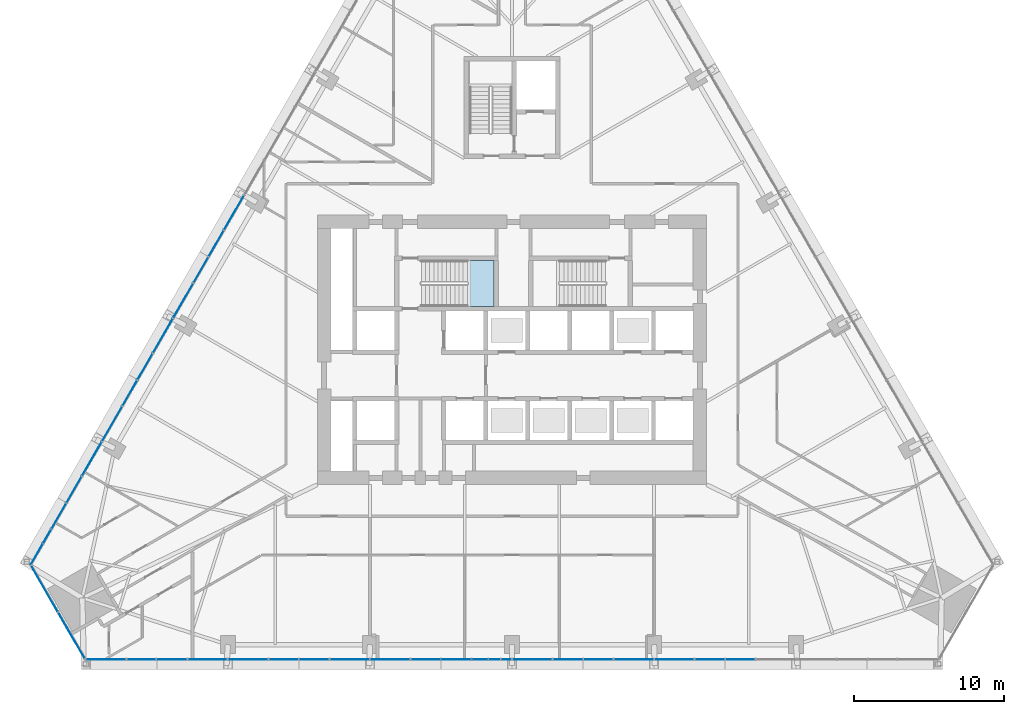
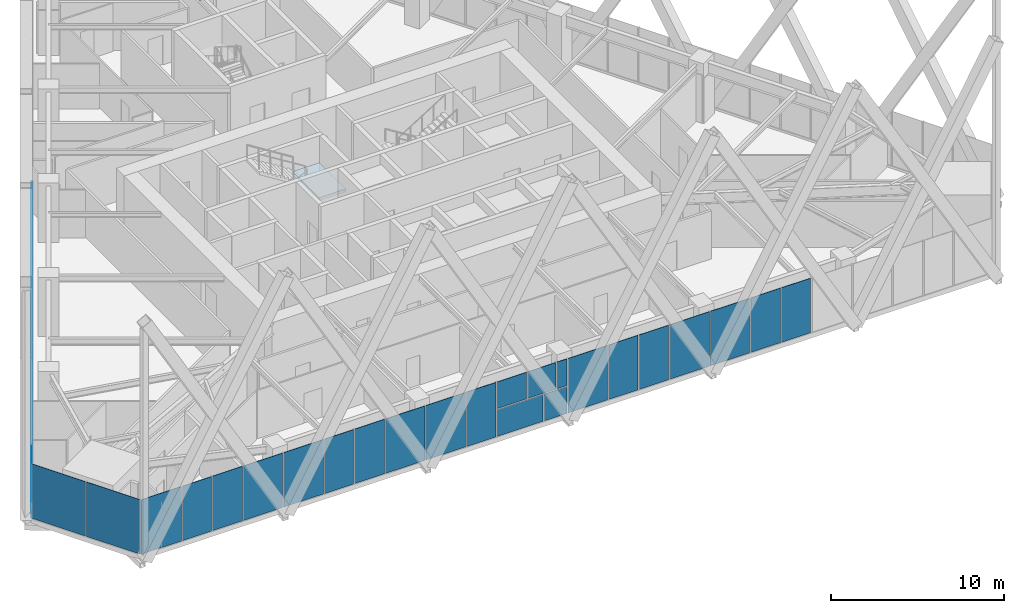
# One storey, part 13 of 21: 38 plates, 1 slab, 4 elements without a shape of their own.
"""IFC4 building model written with IfcOpenShell, lengths in metres."""

from ifc_helpers import new_model, si_unit, direction, frame, origin, place, context, subcontext, project, spatial, polyline, outline, extrude, material, layer, layer_set, type_object, element, aggregate, save


model = new_model("IFC4")

# Units and contexts
model_context = context("Model", 3, precision=1e-05, world=origin(), true_north=direction((0.0, 1.0)))
body_context = subcontext(model_context, "Body", "Model", "MODEL_VIEW")
ifc_project = project(units=[si_unit("LENGTHUNIT", "METRE"), si_unit("AREAUNIT", "SQUARE_METRE"), si_unit("VOLUMEUNIT", "CUBIC_METRE"), si_unit("PLANEANGLEUNIT", "RADIAN"), si_unit("MASSUNIT", "GRAM", prefix="KILO")], contexts=[model_context])

# Site, building, storey
site_placement = place(None, origin())
site = spatial("IfcSite", under=ifc_project, at=site_placement, CompositionType="ELEMENT")
building_placement = place(site_placement, origin())
building = spatial("IfcBuilding", under=site, at=building_placement, Name="Firuza Gate Tower and Library", CompositionType="ELEMENT")
storey_placement = place(building_placement, frame((0.0, 0.0, 73.60009765625)))
storey = spatial("IfcBuildingStorey", under=building, at=storey_placement, Name="L16", CompositionType="ELEMENT", Elevation=73.60009765625)

# Curtain wall, plates
ifc_material_1 = material(Name="Aluminium 6063-T6", Category="aluminium")
ifc_layer_1 = layer(ifc_material_1, 0.14990234375)
ifc_layer_set_1 = layer_set([ifc_layer_1], Name="Corner curtain wall, chamfers")
curtain_wall_type_1 = type_object("IfcCurtainWallType", Name="Corner curtain wall, chamfers", PredefinedType="NOTDEFINED", material=ifc_layer_set_1)
placement = place(storey_placement, origin())
curtain_wall_1 = element("IfcCurtainWall", 1, at=placement, inside=storey, type_object=curtain_wall_type_1, Name="CW4 L16 SW corner", PredefinedType="NOTDEFINED")
ifc_material_2 = material(Name="Fritted glass", Category="glass")
ifc_layer_2 = layer(ifc_material_2, 0.030029296875)
ifc_layer_set_2 = layer_set([ifc_layer_2], Name="Fritted glass unit, corners")
plate_type_1 = type_object("IfcPlateType", Name="Fritted glass unit, corners", PredefinedType="CURTAIN_PANEL", material=ifc_layer_set_2)
plate_1_placement = place(storey_placement, frame((42.864501953125, 60.607177734375, 0.14990234375), z_axis=(-0.865999591991, -0.500044704672, 0.0), x_axis=(0.500044704672, -0.865999591991, 0.0)))
plate_1 = element("IfcPlate", 2, at=plate_1_placement, type_object=plate_type_1, Name="Glass unit", PredefinedType="CURTAIN_PANEL", context=body_context, shape_type="SweptSolid", body=[
    extrude(outline(polyline([(0.0, 0.0), (3.563157982880169, 0.0), (3.563157982880169, 3.85009765625), (0.0, 3.85009765625), (0.0, 0.0)])), origin(), (0.0, 0.0, -1.0), 0.030029296875),
])
plate_2_placement = place(storey_placement, frame((44.686279296875, 57.4521484375, 0.14990234375), z_axis=(-0.866046390552, -0.49996364809, 0.0), x_axis=(0.49996364809, -0.866046390552, 0.0)))
plate_2 = element("IfcPlate", 3, at=plate_2_placement, type_object=plate_type_1, Name="Glass unit", PredefinedType="CURTAIN_PANEL", context=body_context, shape_type="SweptSolid", body=[
    extrude(outline(polyline([(0.0, 0.0), (3.563247342942594, 0.0), (3.563247342942594, 3.85009765625), (0.0, 3.85009765625), (0.0, 0.0)])), origin(), (0.0, 0.0, -1.0), 0.030029296875),
])
aggregate(curtain_wall_1, [plate_1, plate_2])

ifc_material_3 = material(Name="Aluminium 6063-T6", Category="aluminium")
ifc_layer_3 = layer(ifc_material_3, 0.14990234375)
ifc_layer_set_3 = layer_set([ifc_layer_3], Name="Unitised curtain wall, offices")
curtain_wall_type_2 = type_object("IfcCurtainWallType", Name="Unitised curtain wall, offices", PredefinedType="NOTDEFINED", material=ifc_layer_set_3)
curtain_wall_2 = element("IfcCurtainWall", 4, at=placement, inside=storey, type_object=curtain_wall_type_2, Name="CW1 L16 S face", PredefinedType="NOTDEFINED")
ifc_material_4 = material(Name="Fritted glass", Category="glass")
ifc_layer_4 = layer(ifc_material_4, 0.030029296875)
ifc_layer_set_4 = layer_set([ifc_layer_4], Name="Fritted glass unit, offices")
plate_type_2 = type_object("IfcPlateType", Name="Fritted glass unit, offices", PredefinedType="CURTAIN_PANEL", material=ifc_layer_set_4)
plate_3_placement = place(storey_placement, frame((49.28955078125, 54.323974609375, 0.14990234375), z_axis=(0.0, -1.0, 0.0), x_axis=(1.0, 0.0, 0.0)))
plate_3 = element("IfcPlate", 5, at=plate_3_placement, type_object=plate_type_2, Name="Glass unit", PredefinedType="CURTAIN_PANEL", context=body_context, shape_type="SweptSolid", body=[
    extrude(outline(polyline([(0.0, 0.0), (1.921142578125, 0.0), (1.921142578125, 3.85009765625), (0.0, 3.85009765625), (0.0, 0.0)])), origin(), (0.0, 0.0, -1.0), 0.030029296875),
])
plate_4_placement = place(storey_placement, frame((51.290771484375, 54.323974609375, 0.14990234375), z_axis=(0.0, -1.0, 0.0), x_axis=(1.0, 0.0, 0.0)))
plate_4 = element("IfcPlate", 6, at=plate_4_placement, type_object=plate_type_2, Name="Glass unit", PredefinedType="CURTAIN_PANEL", context=body_context, shape_type="SweptSolid", body=[
    extrude(outline(polyline([(0.0, 0.0), (1.993408203125, 0.0), (1.993408203125, 3.85009765625), (0.0, 3.85009765625), (0.0, 0.0)])), origin(), (0.0, 0.0, -1.0), 0.030029296875),
])
plate_5_placement = place(storey_placement, frame((58.774658203125, 54.323974609375, 0.14990234375), z_axis=(0.0, -1.0, 0.0), x_axis=(1.0, 0.0, 0.0)))
plate_5 = element("IfcPlate", 7, at=plate_5_placement, type_object=plate_type_2, Name="Glass unit", PredefinedType="CURTAIN_PANEL", context=body_context, shape_type="SweptSolid", body=[
    extrude(outline(polyline([(0.0, 0.0), (1.935791015625, 0.0), (1.935791015625, 3.85009765625), (0.0, 3.85009765625), (0.0, 0.0)])), origin(), (0.0, 0.0, -1.0), 0.030029296875),
])
plate_6_placement = place(storey_placement, frame((60.790283203125, 54.323974609375, 0.14990234375), z_axis=(0.0, -1.0, 0.0), x_axis=(1.0, 0.0, 0.0)))
plate_6 = element("IfcPlate", 8, at=plate_6_placement, type_object=plate_type_2, Name="Glass unit", PredefinedType="CURTAIN_PANEL", context=body_context, shape_type="SweptSolid", body=[
    extrude(outline(polyline([(0.0, 0.0), (1.97900390625, 0.0), (1.97900390625, 3.85009765625), (0.0, 3.85009765625), (0.0, 0.0)])), origin(), (0.0, 0.0, -1.0), 0.030029296875),
])
plate_7_placement = place(storey_placement, frame((68.260009765625, 54.323974609375, 0.14990234375), z_axis=(0.0, -1.0, 0.0), x_axis=(1.0, 0.0, 0.0)))
plate_7 = element("IfcPlate", 9, at=plate_7_placement, type_object=plate_type_2, Name="Glass unit", PredefinedType="CURTAIN_PANEL", context=body_context, shape_type="SweptSolid", body=[
    extrude(outline(polyline([(0.0, 0.0), (1.9501953125, 0.0), (1.9501953125, 3.85009765625), (0.0, 3.85009765625), (0.0, 0.0)])), origin(), (0.0, 0.0, -1.0), 0.030029296875),
])
plate_8_placement = place(storey_placement, frame((70.2900390625, 54.323974609375, 0.14990234375), z_axis=(0.0, -1.0, 0.0), x_axis=(1.0, 0.0, 0.0)))
plate_8 = element("IfcPlate", 10, at=plate_8_placement, type_object=plate_type_2, Name="Glass unit", PredefinedType="CURTAIN_PANEL", context=body_context, shape_type="SweptSolid", body=[
    extrude(outline(polyline([(0.0, 0.0), (3.073974609375, 0.0), (3.073974609375, 1.885009765625), (0.0, 1.885009765625), (0.0, 0.0)])), origin(), (0.0, 0.0, -1.0), 0.030029296875),
])
plate_9_placement = place(storey_placement, frame((70.2900390625, 54.323974609375, 2.114990234375), z_axis=(0.0, -1.0, 0.0), x_axis=(1.0, 0.0, 0.0)))
plate_9 = element("IfcPlate", 11, at=plate_9_placement, type_object=plate_type_2, Name="Glass unit", PredefinedType="CURTAIN_PANEL", context=body_context, shape_type="SweptSolid", body=[
    extrude(outline(polyline([(0.0, 0.0), (1.964599609375, 0.0), (1.964599609375, 1.885009765625), (0.0, 1.885009765625), (0.0, 0.0)])), origin(), (0.0, 0.0, -1.0), 0.030029296875),
])
plate_10_placement = place(storey_placement, frame((74.292724609375, 54.323974609375, 2.114990234375), z_axis=(0.0, -1.0, 0.0), x_axis=(1.0, 0.0, 0.0)))
plate_10 = element("IfcPlate", 12, at=plate_10_placement, type_object=plate_type_2, Name="Glass unit", PredefinedType="CURTAIN_PANEL", context=body_context, shape_type="SweptSolid", body=[
    extrude(outline(polyline([(0.0, 0.0), (0.667236328125, 0.0), (0.667236328125, 1.885009765625), (0.0, 1.885009765625), (0.0, 0.0)])), origin(), (0.0, 0.0, -1.0), 0.030029296875),
])
plate_11_placement = place(storey_placement, frame((77.745361328125, 54.323974609375, 0.14990234375), z_axis=(0.0, -1.0, 0.0), x_axis=(1.0, 0.0, 0.0)))
plate_11 = element("IfcPlate", 13, at=plate_11_placement, type_object=plate_type_2, Name="Glass unit", PredefinedType="CURTAIN_PANEL", context=body_context, shape_type="SweptSolid", body=[
    extrude(outline(polyline([(0.0, 0.0), (1.964599609375, 0.0), (1.964599609375, 3.85009765625), (0.0, 3.85009765625), (0.0, 0.0)])), origin(), (0.0, 0.0, -1.0), 0.030029296875),
])
plate_12_placement = place(storey_placement, frame((79.789794921875, 54.323974609375, 0.14990234375), z_axis=(0.0, -1.0, 0.0), x_axis=(1.0, 0.0, 0.0)))
plate_12 = element("IfcPlate", 14, at=plate_12_placement, type_object=plate_type_2, Name="Glass unit", PredefinedType="CURTAIN_PANEL", context=body_context, shape_type="SweptSolid", body=[
    extrude(outline(polyline([(0.0, 0.0), (1.9501953125, 0.0), (1.9501953125, 3.85009765625), (0.0, 3.85009765625), (0.0, 0.0)])), origin(), (0.0, 0.0, -1.0), 0.030029296875),
])
plate_13_placement = place(storey_placement, frame((87.230712890625, 54.323974609375, 0.14990234375), z_axis=(0.0, -1.0, 0.0), x_axis=(1.0, 0.0, 0.0)))
plate_13 = element("IfcPlate", 15, at=plate_13_placement, type_object=plate_type_2, Name="Glass unit", PredefinedType="CURTAIN_PANEL", context=body_context, shape_type="SweptSolid", body=[
    extrude(outline(polyline([(0.0, 0.0), (1.97900390625, 0.0), (1.97900390625, 3.85009765625), (0.0, 3.85009765625), (0.0, 0.0)])), origin(), (0.0, 0.0, -1.0), 0.030029296875),
])
plate_14_placement = place(storey_placement, frame((89.28955078125, 54.323974609375, 0.14990234375), z_axis=(0.0, -1.0, 0.0), x_axis=(1.0, 0.0, 0.0)))
plate_14 = element("IfcPlate", 16, at=plate_14_placement, type_object=plate_type_2, Name="Glass unit", PredefinedType="CURTAIN_PANEL", context=body_context, shape_type="SweptSolid", body=[
    extrude(outline(polyline([(0.0, 0.0), (1.935791015625, 0.0), (1.935791015625, 3.85009765625), (0.0, 3.85009765625), (0.0, 0.0)])), origin(), (0.0, 0.0, -1.0), 0.030029296875),
])

curtain_wall_3 = element("IfcCurtainWall", 17, at=placement, inside=storey, type_object=curtain_wall_type_2, Name="CW1 L16 W face", PredefinedType="NOTDEFINED")
plate_15_placement = place(storey_placement, frame((55.721435546875, 82.96044921875, 0.14990234375), z_axis=(-0.866055215259, 0.499948361456, 0.0), x_axis=(-0.499948361456, -0.866055215259, 0.0)))
plate_15 = element("IfcPlate", 18, at=plate_15_placement, type_object=plate_type_2, Name="Glass unit", PredefinedType="CURTAIN_PANEL", context=body_context, shape_type="SweptSolid", body=[
    extrude(outline(polyline([(0.0, 0.0), (1.9645583626167125, 0.0), (1.9645583626167125, 3.85009765625), (0.0, 3.85009765625), (0.0, 0.0)])), origin(), (0.0, 0.0, -1.0), 0.030029296875),
])
plate_16_placement = place(storey_placement, frame((54.69921875, 81.18994140625, 0.14990234375), z_axis=(-0.866031321059, 0.49998975084, 0.0), x_axis=(-0.49998975084, -0.866031321059, 0.0)))
plate_16 = element("IfcPlate", 19, at=plate_16_placement, type_object=plate_type_2, Name="Glass unit", PredefinedType="CURTAIN_PANEL", context=body_context, shape_type="SweptSolid", body=[
    extrude(outline(polyline([(0.0, 0.0), (1.9502352890478898, 0.0), (1.9502352890478898, 3.85009765625), (0.0, 3.85009765625), (0.0, 0.0)])), origin(), (0.0, 0.0, -1.0), 0.030029296875),
])
plate_17_placement = place(storey_placement, frame((50.978759765625, 74.745849609375, 0.14990234375), z_axis=(-0.866025344474, 0.500000102728, 0.0), x_axis=(-0.500000102728, -0.866025344474, 0.0)))
plate_17 = element("IfcPlate", 20, at=plate_17_placement, type_object=plate_type_2, Name="Glass unit", PredefinedType="CURTAIN_PANEL", context=body_context, shape_type="SweptSolid", body=[
    extrude(outline(polyline([(0.0, 0.0), (1.9790034996501018, 0.0), (1.9790034996501018, 3.85009765625), (0.0, 3.85009765625), (0.0, 0.0)])), origin(), (0.0, 0.0, -1.0), 0.030029296875),
])
plate_18_placement = place(storey_placement, frame((49.94921875, 72.962890625, 0.14990234375), z_axis=(-0.866061679702, 0.499937163003, 0.0), x_axis=(-0.499937163003, -0.866061679702, 0.0)))
plate_18 = element("IfcPlate", 21, at=plate_18_placement, type_object=plate_type_2, Name="Glass unit", PredefinedType="CURTAIN_PANEL", context=body_context, shape_type="SweptSolid", body=[
    extrude(outline(polyline([(0.0, 0.0), (1.9357901534810953, 0.0), (1.9357901534810953, 3.85009765625), (0.0, 3.85009765625), (0.0, 0.0)])), origin(), (0.0, 0.0, -1.0), 0.030029296875),
])
plate_19_placement = place(storey_placement, frame((46.236083984375, 66.531494140625, 0.14990234375), z_axis=(-0.86604893727, 0.499959236591, 0.0), x_axis=(-0.499959236591, -0.86604893727, 0.0)))
plate_19 = element("IfcPlate", 22, at=plate_19_placement, type_object=plate_type_2, Name="Glass unit", PredefinedType="CURTAIN_PANEL", context=body_context, shape_type="SweptSolid", body=[
    extrude(outline(polyline([(0.0, 0.0), (1.9933265720713123, 0.0), (1.9933265720713123, 3.85009765625), (0.0, 3.85009765625), (0.0, 0.0)])), origin(), (0.0, 0.0, -1.0), 0.030029296875),
])
plate_20_placement = place(storey_placement, frame((45.199462890625, 64.73583984375, 0.14990234375), z_axis=(-0.866028638735, 0.499994396859, 0.0), x_axis=(-0.499994396859, -0.866028638735, 0.0)))
plate_20 = element("IfcPlate", 23, at=plate_20_placement, type_object=plate_type_2, Name="Glass unit", PredefinedType="CURTAIN_PANEL", context=body_context, shape_type="SweptSolid", body=[
    extrude(outline(polyline([(0.0, 0.0), (3.0307956827017404, 0.0), (3.0307956827017404, 1.885009765625), (0.0, 1.885009765625), (0.0, 0.0)])), origin(), (0.0, 0.0, -1.0), 0.030029296875),
])
plate_21_placement = place(storey_placement, frame((45.199462890625, 64.73583984375, 2.114990234375), z_axis=(-0.866005709019, 0.500034110783, 0.0), x_axis=(-0.500034110783, -0.866005709019, 0.0)))
plate_21 = element("IfcPlate", 24, at=plate_21_placement, type_object=plate_type_2, Name="Glass unit", PredefinedType="CURTAIN_PANEL", context=body_context, shape_type="SweptSolid", body=[
    extrude(outline(polyline([(0.0, 0.0), (1.9212556476795428, 0.0), (1.9212556476795428, 1.885009765625), (0.0, 1.885009765625), (0.0, 0.0)])), origin(), (0.0, 0.0, -1.0), 0.030029296875),
])

# Plate
ifc_material_5 = material(Name="Glazed ceramic tile")
ifc_layer_5 = layer(ifc_material_5, 0.030029296875)
ifc_layer_set_5 = layer_set([ifc_layer_5], Name="Opaque ceramic panel, offices")
plate_type_3 = type_object("IfcPlateType", Name="Opaque ceramic panel, offices", PredefinedType="CURTAIN_PANEL", material=ifc_layer_set_5)
plate_22_placement = place(storey_placement, frame((46.540771484375, 54.323974609375, 0.14990234375), z_axis=(0.0, -1.0, 0.0), x_axis=(1.0, 0.0, 0.0)))
plate_22 = element("IfcPlate", 25, at=plate_22_placement, type_object=plate_type_3, Name="Opaque ceramic panel", PredefinedType="CURTAIN_PANEL", context=body_context, shape_type="SweptSolid", body=[
    extrude(outline(polyline([(0.0, 0.0), (2.668701171875, 0.0), (2.668701171875, 3.85009765625), (0.0, 3.85009765625), (0.0, 0.0)])), origin(), (0.0, 0.0, -1.0), 0.030029296875),
])

plate_23_placement = place(storey_placement, frame((53.364013671875, 54.323974609375, 0.14990234375), z_axis=(0.0, -1.0, 0.0), x_axis=(1.0, 0.0, 0.0)))
plate_23 = element("IfcPlate", 26, at=plate_23_placement, type_object=plate_type_3, Name="Opaque ceramic panel", PredefinedType="CURTAIN_PANEL", context=body_context, shape_type="SweptSolid", body=[
    extrude(outline(polyline([(0.0, 0.0), (2.596435546875, 0.0), (2.596435546875, 3.85009765625), (0.0, 3.85009765625), (0.0, 0.0)])), origin(), (0.0, 0.0, -1.0), 0.030029296875),
])

plate_24_placement = place(storey_placement, frame((56.04052734375, 54.323974609375, 0.14990234375), z_axis=(0.0, -1.0, 0.0), x_axis=(1.0, 0.0, 0.0)))
plate_24 = element("IfcPlate", 27, at=plate_24_placement, type_object=plate_type_3, Name="Opaque ceramic panel", PredefinedType="CURTAIN_PANEL", context=body_context, shape_type="SweptSolid", body=[
    extrude(outline(polyline([(0.0, 0.0), (2.654296875, 0.0), (2.654296875, 3.85009765625), (0.0, 3.85009765625), (0.0, 0.0)])), origin(), (0.0, 0.0, -1.0), 0.030029296875),
])

plate_25_placement = place(storey_placement, frame((62.849365234375, 54.323974609375, 0.14990234375), z_axis=(0.0, -1.0, 0.0), x_axis=(1.0, 0.0, 0.0)))
plate_25 = element("IfcPlate", 28, at=plate_25_placement, type_object=plate_type_3, Name="Opaque ceramic panel", PredefinedType="CURTAIN_PANEL", context=body_context, shape_type="SweptSolid", body=[
    extrude(outline(polyline([(0.0, 0.0), (2.61083984375, 0.0), (2.61083984375, 3.85009765625), (0.0, 3.85009765625), (0.0, 0.0)])), origin(), (0.0, 0.0, -1.0), 0.030029296875),
])

plate_26_placement = place(storey_placement, frame((65.540283203125, 54.323974609375, 0.14990234375), z_axis=(0.0, -1.0, 0.0), x_axis=(1.0, 0.0, 0.0)))
plate_26 = element("IfcPlate", 29, at=plate_26_placement, type_object=plate_type_3, Name="Opaque ceramic panel", PredefinedType="CURTAIN_PANEL", context=body_context, shape_type="SweptSolid", body=[
    extrude(outline(polyline([(0.0, 0.0), (2.6396484375, 0.0), (2.6396484375, 3.85009765625), (0.0, 3.85009765625), (0.0, 0.0)])), origin(), (0.0, 0.0, -1.0), 0.030029296875),
])

plate_27_placement = place(storey_placement, frame((73.444091796875, 54.323974609375, 0.14990234375), z_axis=(0.0, -1.0, 0.0), x_axis=(1.0, 0.0, 0.0)))
plate_27 = element("IfcPlate", 30, at=plate_27_placement, type_object=plate_type_3, Name="Opaque ceramic panel", PredefinedType="CURTAIN_PANEL", context=body_context, shape_type="SweptSolid", body=[
    extrude(outline(polyline([(0.0, 0.0), (1.515869140625, 0.0), (1.515869140625, 1.885009765625), (0.0, 1.885009765625), (0.0, 0.0)])), origin(), (0.0, 0.0, -1.0), 0.030029296875),
])

plate_28_placement = place(storey_placement, frame((72.334716796875, 54.323974609375, 2.114990234375), z_axis=(0.0, -1.0, 0.0), x_axis=(1.0, 0.0, 0.0)))
plate_28 = element("IfcPlate", 31, at=plate_28_placement, type_object=plate_type_3, Name="Opaque ceramic panel", PredefinedType="CURTAIN_PANEL", context=body_context, shape_type="SweptSolid", body=[
    extrude(outline(polyline([(0.0, 0.0), (1.878173828125, 0.0), (1.878173828125, 1.885009765625), (0.0, 1.885009765625), (0.0, 0.0)])), origin(), (0.0, 0.0, -1.0), 0.030029296875),
])

plate_29_placement = place(storey_placement, frame((75.0400390625, 54.323974609375, 0.14990234375), z_axis=(0.0, -1.0, 0.0), x_axis=(1.0, 0.0, 0.0)))
plate_29 = element("IfcPlate", 32, at=plate_29_placement, type_object=plate_type_3, Name="Opaque ceramic panel", PredefinedType="CURTAIN_PANEL", context=body_context, shape_type="SweptSolid", body=[
    extrude(outline(polyline([(0.0, 0.0), (2.625244140625, 0.0), (2.625244140625, 3.85009765625), (0.0, 3.85009765625), (0.0, 0.0)])), origin(), (0.0, 0.0, -1.0), 0.030029296875),
])

plate_30_placement = place(storey_placement, frame((81.820068359375, 54.323974609375, 0.14990234375), z_axis=(0.0, -1.0, 0.0), x_axis=(1.0, 0.0, 0.0)))
plate_30 = element("IfcPlate", 33, at=plate_30_placement, type_object=plate_type_3, Name="Opaque ceramic panel", PredefinedType="CURTAIN_PANEL", context=body_context, shape_type="SweptSolid", body=[
    extrude(outline(polyline([(0.0, 0.0), (2.6396484375, 0.0), (2.6396484375, 3.85009765625), (0.0, 3.85009765625), (0.0, 0.0)])), origin(), (0.0, 0.0, -1.0), 0.030029296875),
])

plate_31_placement = place(storey_placement, frame((84.539794921875, 54.323974609375, 0.14990234375), z_axis=(0.0, -1.0, 0.0), x_axis=(1.0, 0.0, 0.0)))
plate_31 = element("IfcPlate", 34, at=plate_31_placement, type_object=plate_type_3, Name="Opaque ceramic panel", PredefinedType="CURTAIN_PANEL", context=body_context, shape_type="SweptSolid", body=[
    extrude(outline(polyline([(0.0, 0.0), (2.61083984375, 0.0), (2.61083984375, 3.85009765625), (0.0, 3.85009765625), (0.0, 0.0)])), origin(), (0.0, 0.0, -1.0), 0.030029296875),
])

aggregate(curtain_wall_2, [plate_22, plate_3, plate_4, plate_23, plate_24, plate_5, plate_6, plate_25, plate_26, plate_7, plate_8, plate_27, plate_9, plate_28, plate_10, plate_29, plate_11, plate_12, plate_30, plate_31, plate_13, plate_14])

plate_32_placement = place(storey_placement, frame((57.07421875, 85.30322265625, 0.14990234375), z_axis=(-0.865996638274, 0.500049820017, 0.0), x_axis=(-0.500049820017, -0.865996638274, 0.0)))
plate_32 = element("IfcPlate", 35, at=plate_32_placement, type_object=plate_type_3, Name="Opaque ceramic panel", PredefinedType="CURTAIN_PANEL", context=body_context, shape_type="SweptSolid", body=[
    extrude(outline(polyline([(0.0, 0.0), (2.625226703572764, 0.0), (2.625226703572764, 3.85009765625), (0.0, 3.85009765625), (0.0, 0.0)])), origin(), (0.0, 0.0, -1.0), 0.030029296875),
])

plate_33_placement = place(storey_placement, frame((53.68408203125, 79.431640625, 0.14990234375), z_axis=(-0.866037734993, 0.499978641112, 0.0), x_axis=(-0.499978641112, -0.866037734993, 0.0)))
plate_33 = element("IfcPlate", 36, at=plate_33_placement, type_object=plate_type_3, Name="Opaque ceramic panel", PredefinedType="CURTAIN_PANEL", context=body_context, shape_type="SweptSolid", body=[
    extrude(outline(polyline([(0.0, 0.0), (2.639761202227999, 0.0), (2.639761202227999, 3.8500976562499996), (0.0, 3.8500976562499996), (0.0, 0.0)])), origin(), (0.0, 0.0, -1.0), 0.030029296875),
])

plate_34_placement = place(storey_placement, frame((52.32421875, 77.076416015625, 0.14990234375), z_axis=(-0.866042335433, 0.499970672378, 0.0), x_axis=(-0.499970672378, -0.866042335433, 0.0)))
plate_34 = element("IfcPlate", 37, at=plate_34_placement, type_object=plate_type_3, Name="Opaque ceramic panel", PredefinedType="CURTAIN_PANEL", context=body_context, shape_type="SweptSolid", body=[
    extrude(outline(polyline([(0.0, 0.0), (2.610992992183525, 0.0), (2.610992992183525, 3.8500976562499996), (0.0, 3.8500976562499996), (0.0, 0.0)])), origin(), (0.0, 0.0, -1.0), 0.030029296875),
])

plate_35_placement = place(storey_placement, frame((48.94140625, 71.21728515625, 0.14990234375), z_axis=(-0.866015557117, 0.50001705454, 0.0), x_axis=(-0.50001705454, -0.866015557117, 0.0)))
plate_35 = element("IfcPlate", 38, at=plate_35_placement, type_object=plate_type_3, Name="Opaque ceramic panel", PredefinedType="CURTAIN_PANEL", context=body_context, shape_type="SweptSolid", body=[
    extrude(outline(polyline([(0.0, 0.0), (2.6542063424654727, 0.0), (2.6542063424654727, 3.85009765625), (0.0, 3.85009765625), (0.0, 0.0)])), origin(), (0.0, 0.0, -1.0), 0.030029296875),
])

plate_36_placement = place(storey_placement, frame((47.574462890625, 68.849365234375, 0.14990234375), z_axis=(-0.866024317969, 0.500001880682, 0.0), x_axis=(-0.500001880682, -0.866024317969, 0.0)))
plate_36 = element("IfcPlate", 39, at=plate_36_placement, type_object=plate_type_3, Name="Opaque ceramic panel", PredefinedType="CURTAIN_PANEL", context=body_context, shape_type="SweptSolid", body=[
    extrude(outline(polyline([(0.0, 0.0), (2.596669920479381, 0.0), (2.596669920479381, 3.85009765625), (0.0, 3.85009765625), (0.0, 0.0)])), origin(), (0.0, 0.0, -1.0), 0.030029296875),
])

plate_37_placement = place(storey_placement, frame((43.64404296875, 62.0419921875, 0.14990234375), z_axis=(-0.866047393576, 0.499961910629, 0.0), x_axis=(-0.499961910629, -0.866047393576, 0.0)))
plate_37 = element("IfcPlate", 40, at=plate_37_placement, type_object=plate_type_3, Name="Opaque ceramic panel", PredefinedType="CURTAIN_PANEL", context=body_context, shape_type="SweptSolid", body=[
    extrude(outline(polyline([(0.0, 0.0), (1.5592008092061973, 0.0), (1.5592008092061973, 1.885009765625), (0.0, 1.885009765625), (0.0, 0.0)])), origin(), (0.0, 0.0, -1.0), 0.030029296875),
])

plate_38_placement = place(storey_placement, frame((44.19873046875, 63.002685546875, 2.114990234375), z_axis=(-0.866033233673, 0.499986437991, 0.0), x_axis=(-0.499986437991, -0.866033233673, 0.0)))
plate_38 = element("IfcPlate", 41, at=plate_38_placement, type_object=plate_type_3, Name="Opaque ceramic panel", PredefinedType="CURTAIN_PANEL", context=body_context, shape_type="SweptSolid", body=[
    extrude(outline(polyline([(0.0, 0.0), (2.6685294124911483, 0.0), (2.6685294124911483, 1.885009765625), (0.0, 1.885009765625), (0.0, 0.0)])), origin(), (0.0, 0.0, -1.0), 0.030029296875),
])

aggregate(curtain_wall_3, [plate_32, plate_15, plate_16, plate_33, plate_34, plate_17, plate_18, plate_35, plate_36, plate_19, plate_20, plate_37, plate_21, plate_38])

# Stair, slab
ifc_material_6 = material(Name="Concrete C35/45", Category="concrete")
stair_type = type_object("IfcStairType", Name="Exit stair ST5", PredefinedType="HALF_TURN_STAIR", material=ifc_material_6)
stair = element("IfcStair", 42, at=placement, inside=storey, type_object=stair_type, Name="L16 Stair ST1", PredefinedType="HALF_TURN_STAIR")
ifc_material_7 = material(Name="Concrete C35/45", Category="concrete")
ifc_layer_6 = layer(ifc_material_7, 0.199951171875)
ifc_layer_set_6 = layer_set([ifc_layer_6], Name="Stair landing 200")
slab_type = type_object("IfcSlabType", Name="Stair landing 200", PredefinedType="LANDING", material=ifc_layer_set_6)
slab_placement = place(storey_placement, frame((0.0, 0.0, 1.89990234375)))
slab = element("IfcSlab", 43, at=slab_placement, type_object=slab_type, Name="ST1 landing 1", PredefinedType="LANDING", context=body_context, shape_type="SweptSolid", body=[
    extrude(outline(polyline([(72.02001953125, 77.89990234375), (73.81005859375, 77.89990234375), (73.81005859375, 80.97998046875), (72.02001953125, 80.97998046875), (72.02001953125, 77.89990234375)])), origin(), (0.0, 0.0, 1.0), 0.199951171875),
])
aggregate(stair, [slab])

save(model, "model.ifc")
